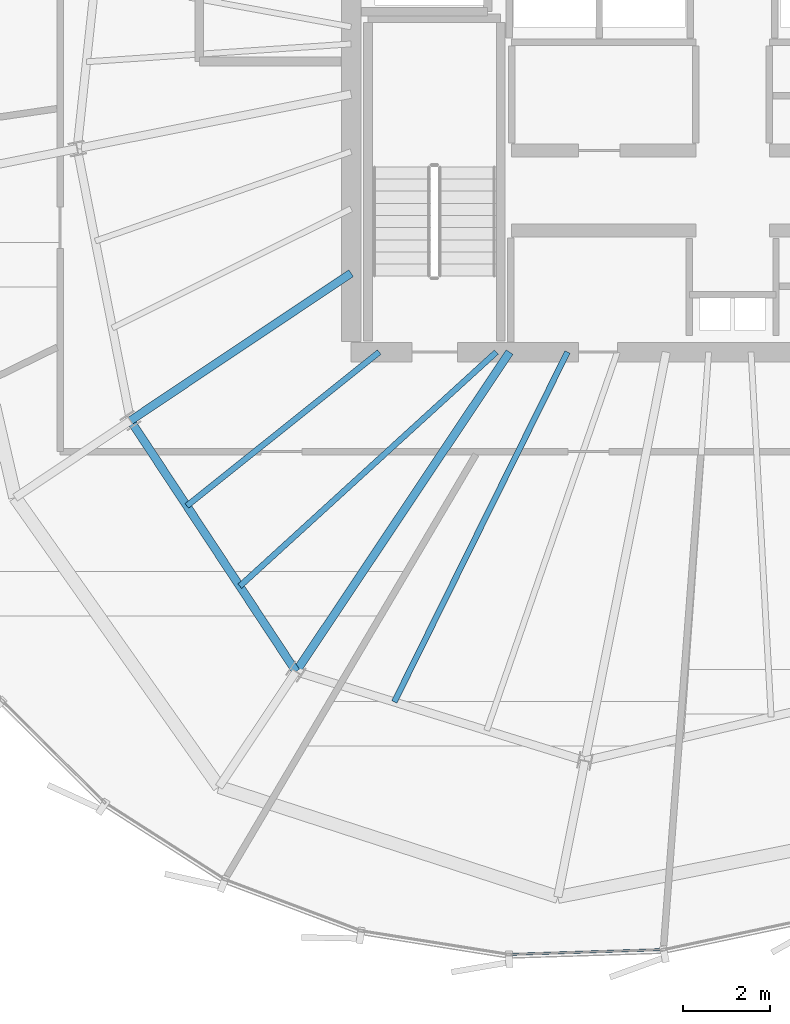
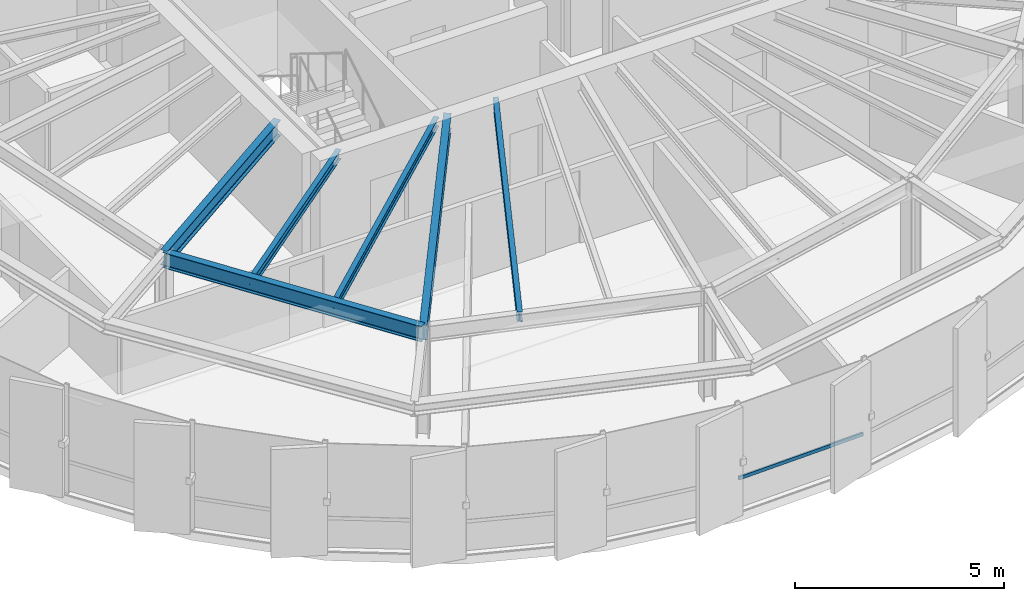
# One storey, part 5 of 36: 6 beams, 1 member, 1 element without a shape of its own.
"""IFC4 building model written with IfcOpenShell, lengths in metres."""

from ifc_helpers import new_model, si_unit, direction, frame, origin, origin_2d, place, context, subcontext, project, spatial, hollow_rectangle, i_section, extrude, source, transform, mapped, material, layer, layer_set, material_profile, profile_set, type_object, element, aggregate, save


model = new_model("IFC4")

# Units and contexts
model_context = context("Model", 3, precision=1e-05, world=origin(), true_north=direction((0.0, 1.0)))
body_context = subcontext(model_context, "Body", "Model", "MODEL_VIEW")
ifc_project = project(units=[si_unit("LENGTHUNIT", "METRE"), si_unit("AREAUNIT", "SQUARE_METRE"), si_unit("VOLUMEUNIT", "CUBIC_METRE"), si_unit("PLANEANGLEUNIT", "RADIAN"), si_unit("MASSUNIT", "GRAM", prefix="KILO"), si_unit("THERMODYNAMICTEMPERATUREUNIT", "KELVIN")], contexts=[model_context])

# Site, building, storey
site_placement = place(None, origin())
site = spatial("IfcSite", under=ifc_project, at=site_placement, CompositionType="ELEMENT")
building_placement = place(site_placement, origin())
building = spatial("IfcBuilding", under=site, at=building_placement, Name="Kethvar Cultural Tower", CompositionType="ELEMENT")
storey_placement = place(building_placement, frame((0.0, 0.0, 242.199951171875)))
storey = spatial("IfcBuildingStorey", under=building, at=storey_placement, Name="L63", CompositionType="ELEMENT", Elevation=242.199951171875)

# Beams
ifc_material_1 = material(Name="Steel S355J2", Category="steel")
ifc_material_profile_1 = material_profile(ifc_material_1, i_section(OverallWidth=0.18994140625, OverallDepth=0.449951171875, WebThickness=0.009521484375, FlangeThickness=0.0146484375, FilletRadius=0.02099609375, at=origin_2d()), Name="Steel S355J2 — IPE450")
ifc_profile_set_1 = profile_set([ifc_material_profile_1], Name="Steel S355J2 — IPE450")
beam_type_1 = type_object("IfcBeamType", Name="BM-IPE450", PredefinedType="BEAM", material=ifc_profile_set_1)
shared_shape_1 = source(origin(), body_context, "Body", "SweptSolid", [
    extrude(i_section(OverallWidth=0.18994140625, OverallDepth=0.449951171875, WebThickness=0.009521484375, FlangeThickness=0.0146484375, FilletRadius=0.02099609375, at=origin_2d()), origin(), (0.0, 0.0, 1.0), 6.118408203125),
])
beam_1_placement = place(storey_placement, frame((38.0, 21.920166015625, 2.983154296875), z_axis=(-0.831466631282, -0.555574694406, 0.0), x_axis=(0.555574694406, -0.831466631282, 0.0)))
element("IfcBeam", 1, at=beam_1_placement, inside=storey, type_object=beam_type_1, Name="L63 Primary Radial Beam RB-10", PredefinedType="BEAM", context=body_context, shape_type="MappedRepresentation", body=[
    mapped(shared_shape_1, transform((0.0, 0.0, 0.0), scale=1.0)),
])
shared_shape_2 = source(origin(), body_context, "Body", "SweptSolid", [
    extrude(i_section(OverallWidth=0.18994140625, OverallDepth=0.449951171875, WebThickness=0.009521484375, FlangeThickness=0.0146484375, FilletRadius=0.02099609375, at=origin_2d()), origin(), (0.0, 0.0, 1.0), 8.86279296875),
])
beam_2_placement = place(storey_placement, frame((41.655029296875, 20.10009765625, 2.983154296875), z_axis=(-0.555564443415, -0.831473480764, 0.0), x_axis=(0.831473480764, -0.555564443415, 0.0)))
element("IfcBeam", 2, at=beam_2_placement, inside=storey, type_object=beam_type_1, Name="L63 Primary Radial Beam RB-11", PredefinedType="BEAM", context=body_context, shape_type="MappedRepresentation", body=[
    mapped(shared_shape_2, transform((0.0, 0.0, 0.0), scale=1.0)),
])
shared_shape_3 = source(origin(), body_context, "Body", "SweptSolid", [
    extrude(i_section(OverallWidth=0.18994140625, OverallDepth=0.449951171875, WebThickness=0.009521484375, FlangeThickness=0.0146484375, FilletRadius=0.02099609375, at=origin_2d()), origin(), (0.0, 0.0, 1.0), 6.935791015625),
])
beam_3_placement = place(storey_placement, frame((32.912841796875, 18.52099609375, 2.983154296875), z_axis=(0.550534204139, -0.834812607759, 0.0), x_axis=(0.834812607759, 0.550534204139, 0.0)))
element("IfcBeam", 3, at=beam_3_placement, inside=storey, type_object=beam_type_1, Name="L63 Column Ring Tie Beam CR-10", PredefinedType="BEAM", context=body_context, shape_type="MappedRepresentation", body=[
    mapped(shared_shape_3, transform((0.0, 0.0, 0.0), scale=1.0)),
])
ifc_material_profile_2 = material_profile(ifc_material_1, i_section(OverallWidth=0.135009765625, OverallDepth=0.27001953125, WebThickness=0.006591796875, FlangeThickness=0.01025390625, FilletRadius=0.014892578125, at=origin_2d()), Name="Steel S355J2 — IPE270")
ifc_profile_set_2 = profile_set([ifc_material_profile_2], Name="Steel S355J2 — IPE270")
beam_type_2 = type_object("IfcBeamType", Name="BM-J270", PredefinedType="JOIST", material=ifc_profile_set_2)
shared_shape_4 = source(origin(), body_context, "Body", "SweptSolid", [
    extrude(i_section(OverallWidth=0.135009765625, OverallDepth=0.27001953125, WebThickness=0.006591796875, FlangeThickness=0.01025390625, FilletRadius=0.014892578125, at=origin_2d()), origin(), (0.0, 0.0, 1.0), 5.68212890625),
])
beam_4_placement = place(storey_placement, frame((38.64990234375, 20.10009765625, 3.072998046875), z_axis=(-0.781157957733, -0.624333440615, 0.0), x_axis=(0.624333440615, -0.781157957733, 0.0)))
element("IfcBeam", 4, at=beam_4_placement, inside=storey, type_object=beam_type_2, Name="L63 Composite Floor Joist J-10A", PredefinedType="JOIST", context=body_context, shape_type="MappedRepresentation", body=[
    mapped(shared_shape_4, transform((0.0, 0.0, 0.0), scale=1.0)),
])
shared_shape_5 = source(origin(), body_context, "Body", "SweptSolid", [
    extrude(i_section(OverallWidth=0.135009765625, OverallDepth=0.27001953125, WebThickness=0.006591796875, FlangeThickness=0.01025390625, FilletRadius=0.014892578125, at=origin_2d()), origin(), (0.0, 0.0, 1.0), 8.010986328125),
])
beam_5_placement = place(storey_placement, frame((41.35009765625, 20.10009765625, 3.072998046875), z_axis=(-0.738614798856, -0.674127717061, 0.0), x_axis=(0.674127717061, -0.738614798856, 0.0)))
element("IfcBeam", 5, at=beam_5_placement, inside=storey, type_object=beam_type_2, Name="L63 Composite Floor Joist J-10B", PredefinedType="JOIST", context=body_context, shape_type="MappedRepresentation", body=[
    mapped(shared_shape_5, transform((0.0, 0.0, 0.0), scale=1.0)),
])
shared_shape_6 = source(origin(), body_context, "Body", "SweptSolid", [
    extrude(i_section(OverallWidth=0.135009765625, OverallDepth=0.27001953125, WebThickness=0.006591796875, FlangeThickness=0.01025390625, FilletRadius=0.014892578125, at=origin_2d()), origin(), (0.0, 0.0, 1.0), 9.00341796875),
])
beam_6_placement = place(storey_placement, frame((42.989501953125, 20.10009765625, 3.072998046875), z_axis=(-0.443543695319, -0.896252749141, 0.0), x_axis=(0.896252749141, -0.443543695319, 0.0)))
element("IfcBeam", 6, at=beam_6_placement, inside=storey, type_object=beam_type_2, Name="L63 Composite Floor Joist J-11A", PredefinedType="JOIST", context=body_context, shape_type="MappedRepresentation", body=[
    mapped(shared_shape_6, transform((0.0, 0.0, 0.0), scale=1.0)),
])

# Curtain wall, member
ifc_material_2 = material(Name="Aluminium 6063-T6", Category="aluminium")
ifc_layer = layer(ifc_material_2, 0.179931640625, Name="Aluminium 6063-T6", Category="aluminium")
ifc_layer_set = layer_set([ifc_layer], Name="Aluminium 6063-T6 (180 mm)")
curtain_wall_type = type_object("IfcCurtainWallType", Name="CW-SYS-05-Z56", PredefinedType="NOTDEFINED", material=ifc_layer_set)
curtain_wall_placement = place(storey_placement, origin())
curtain_wall = element("IfcCurtainWall", 7, at=curtain_wall_placement, inside=storey, type_object=curtain_wall_type, Name="L63 Curtain Wall Run 04", PredefinedType="NOTDEFINED")
ifc_material_profile_3 = material_profile(ifc_material_2, hollow_rectangle(XDim=0.050048828125, YDim=0.10009765625, WallThickness=0.00390625, at=origin_2d()), Name="Aluminium 6063-T6 — RHS100x50x4")
ifc_profile_set_3 = profile_set([ifc_material_profile_3], Name="Aluminium 6063-T6 — RHS100x50x4")
member_type = type_object("IfcMemberType", Name="CW-SYS-05-Z56-TRN", PredefinedType="USERDEFINED", material=ifc_profile_set_3)
shared_shape_7 = source(origin(), body_context, "Body", "SweptSolid", [
    extrude(hollow_rectangle(XDim=0.050048828125, YDim=0.10009765625, WallThickness=0.00390625, at=origin_2d()), origin(), (0.0, 0.0, 1.0), 3.50341796875),
])
member_placement = place(storey_placement, frame((41.6796875, 6.208984375, 0.949951171875), z_axis=(0.99950600655, 0.031428376836, 0.0), x_axis=(-0.031428376836, 0.99950600655, 0.0)))
member = element("IfcMember", 8, at=member_placement, type_object=member_type, Name="CW-L63-R04 Transom 4", ObjectType="TRANSOM", PredefinedType="USERDEFINED", context=body_context, shape_type="MappedRepresentation", body=[
    mapped(shared_shape_7, transform((0.0, 0.0, 0.0), scale=1.0)),
])
aggregate(curtain_wall, [member])

save(model, "model.ifc")
